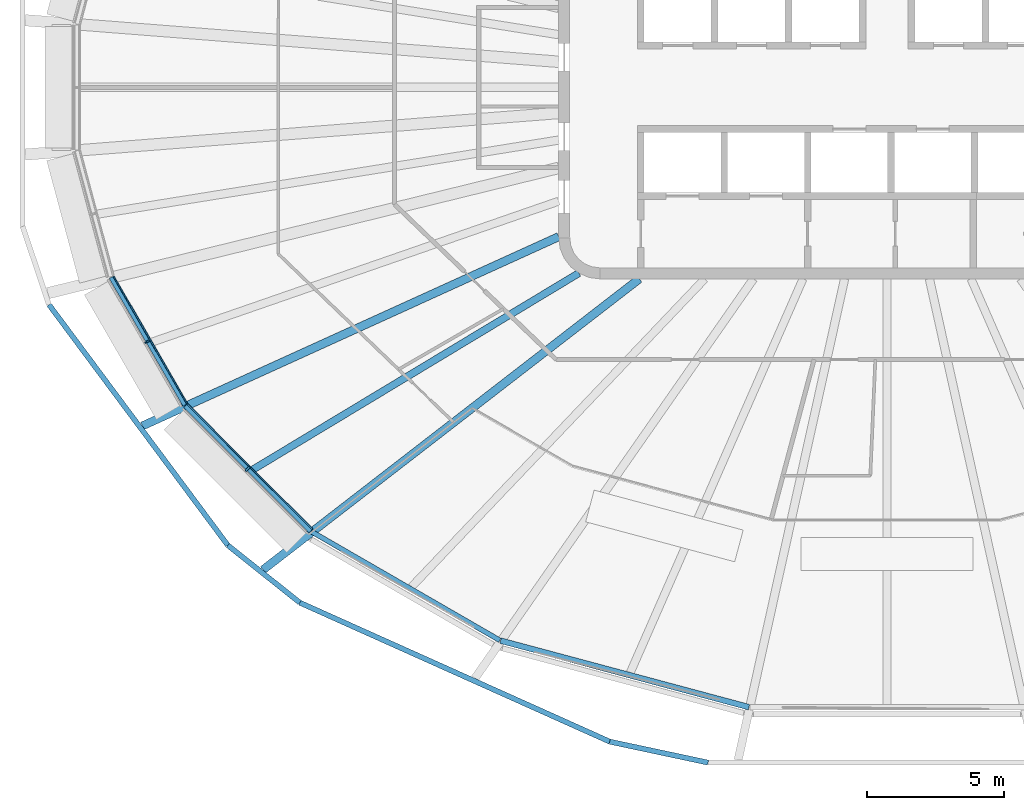
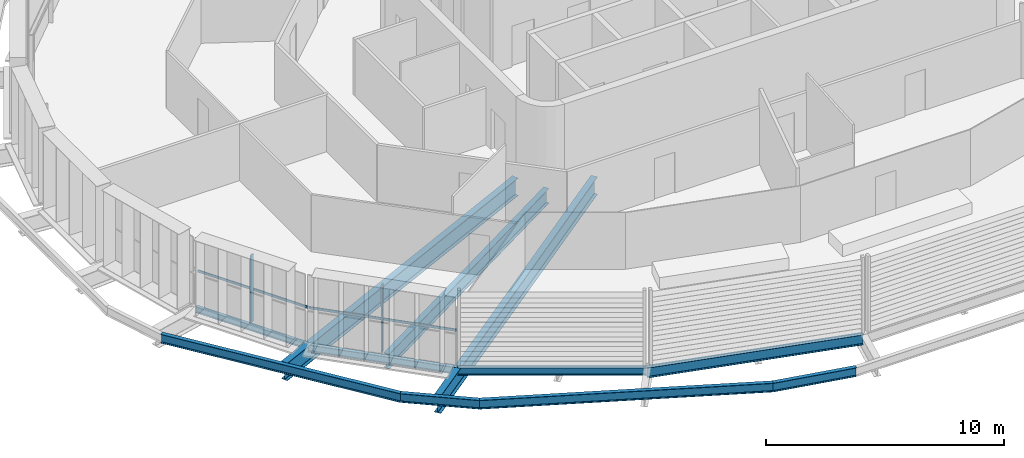
# One storey, part 1 of 20: 11 beams, 4 members, 2 elements without a shape of their own.
"""IFC4 building model written with IfcOpenShell, lengths in metres."""

import ifcopenshell
import ifcopenshell.guid

model = None  # the IFC model being written
_history = None  # IfcOwnerHistory: only IFC2X3 demands one
_inside = {}  # id of a spatial element -> (the spatial element, [elements in it])
_under = {}  # id of a project, library or spatial element -> (it, [spatial elements below it])
_declared = {}  # id of a project -> (the project, [libraries it declares])
_typed = {}  # id of a type object -> (the type object, [elements of that type])
_made_of = {}  # id of a material, layer set ... -> (it, [elements and type objects made of it])


def new_model(schema):
    """Start an empty IFC model of exactly this schema.

    Asked for "IFC4X3", IfcOpenShell would pick the latest addendum, in which some entities
    have other attributes; the version numbers below select the first issue.
    IFC2X3 requires an IfcOwnerHistory on every rooted entity: one is made here for all.
    """
    global model, _history
    if schema == "IFC4X3":
        model = ifcopenshell.file(schema_version=(4, 3, 0, 0))
    else:
        model = ifcopenshell.file(schema=schema)
    _inside.clear()
    _under.clear()
    _declared.clear()
    _typed.clear()
    _made_of.clear()
    _history = None
    if model.schema == "IFC2X3":
        org = make("IfcOrganization", Name="unknown")
        user = make(
            "IfcPersonAndOrganization",
            ThePerson=make("IfcPerson", FamilyName="unknown"),
            TheOrganization=org,
        )
        app = make(
            "IfcApplication",
            ApplicationDeveloper=org,
            Version="unknown",
            ApplicationFullName="unknown",
            ApplicationIdentifier="unknown",
        )
        _history = make(
            "IfcOwnerHistory",
            OwningUser=user,
            OwningApplication=app,
            ChangeAction="ADDED",
            CreationDate=0,
        )
    return model


def make(cls, **values):
    """One entity of the class cls with the attributes given. An attribute that is None is left unset."""
    return model.create_entity(
        cls, **{name: value for name, value in values.items() if value is not None}
    )


def rooted(cls, **values):
    """An entity with a GlobalId (a new one), such as an element, a storey or a relation."""
    return make(cls, GlobalId=ifcopenshell.guid.new(), OwnerHistory=_history, **values)


def si_unit(unit_type, name, prefix=None):
    """IfcSIUnit, for example si_unit("LENGTHUNIT", "METRE", prefix="MILLI")."""
    return make("IfcSIUnit", UnitType=unit_type, Prefix=prefix, Name=name)


def assignment(units):
    """IfcUnitAssignment: the units of a project."""
    return None if units is None else make("IfcUnitAssignment", Units=units)


def point(xyz):
    """IfcCartesianPoint."""
    return None if xyz is None else make("IfcCartesianPoint", Coordinates=xyz)


def direction(xyz):
    """IfcDirection."""
    return None if xyz is None else make("IfcDirection", DirectionRatios=xyz)


def frame(location, z_axis=None, x_axis=None):
    """IfcAxis2Placement3D, a coordinate frame: its origin and axes. An axis left out is left unset."""
    return make(
        "IfcAxis2Placement3D",
        Location=point(location),
        Axis=direction(z_axis),
        RefDirection=direction(x_axis),
    )


def frame_2d(location, x_axis=None):
    """IfcAxis2Placement2D, a coordinate frame in the plane: its origin and x axis."""
    return make(
        "IfcAxis2Placement2D", Location=point(location), RefDirection=direction(x_axis)
    )


def origin():
    """The frame at (0, 0, 0) with its axes left unset."""
    return frame((0.0, 0.0, 0.0))


def origin_2d():
    """The frame at (0, 0) in the plane with its x axis left unset."""
    return frame_2d((0.0, 0.0))


def place(relative_to, where):
    """IfcLocalPlacement: puts the frame where relative to a parent placement (None: the world)."""
    return make(
        "IfcLocalPlacement", PlacementRelTo=relative_to, RelativePlacement=where
    )


def context(
    kind, dimensions, precision=None, world=None, true_north=None, identifier=None
):
    """IfcGeometricRepresentationContext, for example the 3D "Model" context."""
    return make(
        "IfcGeometricRepresentationContext",
        ContextIdentifier=identifier,
        ContextType=kind,
        CoordinateSpaceDimension=dimensions,
        Precision=precision,
        WorldCoordinateSystem=world,
        TrueNorth=true_north,
    )


def subcontext(parent, identifier, kind, view, scale=None):
    """IfcGeometricRepresentationSubContext, for example "Body" below "Model"."""
    return make(
        "IfcGeometricRepresentationSubContext",
        ContextIdentifier=identifier,
        ContextType=kind,
        ParentContext=parent,
        TargetScale=scale,
        TargetView=view,
    )


def project(units=None, contexts=None):
    """IfcProject with its units and contexts."""
    return rooted(
        "IfcProject",
        Name="project",
        RepresentationContexts=contexts,
        UnitsInContext=assignment(units),
    )


def spatial(cls, under=None, at=None, **own):
    """A site, building, storey or space (cls), placed at a placement, below another one or the project."""
    s = rooted(cls, ObjectPlacement=at, **own)
    if under is not None:
        _under.setdefault(under.id(), (under, []))[1].append(s)
    return s


def profile(cls, at=None, kind="AREA", **sizes):
    """A parametric profile (cls). Its sizes go by their IFC names, for example OverallWidth=200.0."""
    return make(cls, ProfileType=kind, Position=at, **sizes)


def rectangle(**sizes):
    """IfcRectangleProfileDef."""
    return profile("IfcRectangleProfileDef", **sizes)


def i_section(**sizes):
    """IfcIShapeProfileDef."""
    return profile("IfcIShapeProfileDef", **sizes)


def extrude(swept, where, along, depth):
    """IfcExtrudedAreaSolid: the profile swept, set in the frame where, extruded along a direction by depth."""
    return make(
        "IfcExtrudedAreaSolid",
        SweptArea=swept,
        Position=where,
        ExtrudedDirection=direction(along),
        Depth=depth,
    )


def shape(context_of_items, identifier, shape_type, items):
    """IfcShapeRepresentation: the items that make up one representation, for example the "Body"."""
    return make(
        "IfcShapeRepresentation",
        ContextOfItems=context_of_items,
        RepresentationIdentifier=identifier,
        RepresentationType=shape_type,
        Items=items,
    )


def material(Name=None, Category=None):
    """IfcMaterial."""
    return make("IfcMaterial", Name=Name, Category=Category)


def layer(
    of_material, thickness, ventilated=None, Name=None, Category=None, Priority=None
):
    """IfcMaterialLayer: one layer of a wall or slab, of a material (None: an air gap)."""
    return make(
        "IfcMaterialLayer",
        Material=of_material,
        LayerThickness=thickness,
        IsVentilated=ventilated,
        Name=Name,
        Category=Category,
        Priority=Priority,
    )


def layer_set(layers, Name=None):
    """IfcMaterialLayerSet."""
    return make("IfcMaterialLayerSet", MaterialLayers=layers, LayerSetName=Name)


def material_profile(
    of_material, cross_section, Name=None, Category=None, Priority=None
):
    """IfcMaterialProfile: a cross section and its material."""
    return make(
        "IfcMaterialProfile",
        Name=Name,
        Material=of_material,
        Profile=cross_section,
        Priority=Priority,
        Category=Category,
    )


def profile_set(profiles, Name=None, composite=None):
    """IfcMaterialProfileSet."""
    return make(
        "IfcMaterialProfileSet",
        Name=Name,
        MaterialProfiles=profiles,
        CompositeProfile=composite,
    )


def made_of(thing, what):
    """Note that an element or type object is made of a material, layer set ...; save() writes the relation."""
    if what is not None:
        _made_of.setdefault(what.id(), (what, []))[1].append(thing)
    return thing


def type_object(cls, material=None, **own):
    """A type object (cls), such as IfcWallType, which elements share."""
    return made_of(rooted(cls, **own), material)


def element(
    cls,
    number,
    at=None,
    inside=None,
    cuts=None,
    type_object=None,
    material=None,
    context=None,
    identifier="Body",
    shape_type=None,
    held_by="IfcProductDefinitionShape",
    body=None,
    shapes=None,
    **own,
):
    """One element of the class cls, such as IfcWall. Its Tag is "e" and its number.

    at: its placement. inside: the storey or other place that contains it. cuts: it is an
    opening in that element (IfcRelVoidsElement). A single representation is given by context,
    identifier, shape_type and body (its items); several are given by shapes. held_by: the class
    of the entity that holds the representations. save() writes the other relations.
    """
    e = rooted(cls, Tag="e%d" % number, ObjectPlacement=at, **own)
    if body is not None:
        shapes = [shape(context, identifier, shape_type, body)]
    if shapes is not None:
        e.Representation = make(held_by, Representations=shapes)
    if inside is not None:
        _inside.setdefault(inside.id(), (inside, []))[1].append(e)
    if cuts is not None:
        rooted(
            "IfcRelVoidsElement", RelatingBuildingElement=cuts, RelatedOpeningElement=e
        )
    if type_object is not None:
        _typed.setdefault(type_object.id(), (type_object, []))[1].append(e)
    return made_of(e, material)


def aggregate(whole, parts):
    """IfcRelAggregates: a whole, such as a stair, and the parts it consists of."""
    return rooted("IfcRelAggregates", RelatingObject=whole, RelatedObjects=parts)


def save(model, path):
    """Write the relations noted so far, then the file.

    IfcRelAggregates (storeys below a building ...), IfcRelContainedInSpatialStructure (elements
    in a storey), IfcRelDefinesByType, IfcRelAssociatesMaterial and IfcRelDeclares: one each for
    every whole, place, type object, material and project.
    """
    for whole, parts in _under.values():
        aggregate(whole, parts)
    for where, things in _inside.values():
        rooted(
            "IfcRelContainedInSpatialStructure",
            RelatedElements=things,
            RelatingStructure=where,
        )
    for kind, things in _typed.values():
        rooted("IfcRelDefinesByType", RelatedObjects=things, RelatingType=kind)
    for what, things in _made_of.values():
        rooted("IfcRelAssociatesMaterial", RelatedObjects=things, RelatingMaterial=what)
    for by, libraries in _declared.values():
        rooted("IfcRelDeclares", RelatingContext=by, RelatedDefinitions=libraries)
    model.write(path)


model = new_model("IFC4")

# Units and contexts
model_context = context("Model", 3, precision=1e-05, world=origin(), true_north=direction((0.0, 1.0)))
body_context = subcontext(model_context, "Body", "Model", "MODEL_VIEW")
ifc_project = project(units=[si_unit("LENGTHUNIT", "METRE"), si_unit("AREAUNIT", "SQUARE_METRE"), si_unit("VOLUMEUNIT", "CUBIC_METRE"), si_unit("PLANEANGLEUNIT", "RADIAN"), si_unit("MASSUNIT", "GRAM", prefix="KILO")], contexts=[model_context])

# Site, building, storey
site_placement = place(None, origin())
site = spatial("IfcSite", under=ifc_project, at=site_placement, CompositionType="ELEMENT")
building_placement = place(site_placement, origin())
building = spatial("IfcBuilding", under=site, at=building_placement, Name="Sahrelin Media Tower", CompositionType="ELEMENT")
storey_placement = place(building_placement, frame((0.0, 0.0, 271.0)))
storey = spatial("IfcBuildingStorey", under=building, at=storey_placement, Name="L59", CompositionType="ELEMENT", Elevation=271.0)

# Beams
ifc_material_1 = material(Name="Steel S355", Category="steel")
ifc_material_profile_1 = material_profile(ifc_material_1, i_section(OverallWidth=0.1650390625, OverallDepth=0.303466796875, WebThickness=0.006103515625, FlangeThickness=0.01025390625, FilletRadius=0.0087890625, at=origin_2d()), Name="UB 305x165x40")
ifc_profile_set_1 = profile_set([ifc_material_profile_1], Name="Steel S355")
beam_type_1 = type_object("IfcBeamType", Name="Edge beam EB2", PredefinedType="BEAM", material=ifc_profile_set_1)
beam_1_placement = place(storey_placement, frame((-25.6630859375, -11.614990234375, -0.3017578125), z_axis=(-0.499986373413, 0.866033270955, 0.0), x_axis=(-0.866033270955, -0.499986373413, 0.0)))
element("IfcBeam", 1, at=beam_1_placement, inside=storey, type_object=beam_type_1, Name="Edge beam L59-11", PredefinedType="BEAM", context=body_context, shape_type="SweptSolid", body=[
    extrude(i_section(OverallWidth=0.1650390625, OverallDepth=0.303466796875, WebThickness=0.006103515625, FlangeThickness=0.01025390625, FilletRadius=0.0087890625, at=origin_2d()), origin(), (0.0, 0.0, 1.0), 5.391845703125),
])
ifc_material_profile_2 = material_profile(ifc_material_1, i_section(OverallWidth=0.17138671875, OverallDepth=0.35498046875, WebThickness=0.00732421875, FlangeThickness=0.011474609375, FilletRadius=0.01025390625, at=origin_2d()), Name="UB 356x171x51")
ifc_profile_set_2 = profile_set([ifc_material_profile_2], Name="Steel S355")
beam_type_2 = type_object("IfcBeamType", Name="Edge beam EB3", PredefinedType="BEAM", material=ifc_profile_set_2)
beam_2_placement = place(storey_placement, frame((-21.064697265625, -16.218505859375, -0.37744140625), z_axis=(-0.707106781187, 0.707106781187, 0.0), x_axis=(-0.707106781187, -0.707106781187, 0.0)))
element("IfcBeam", 2, at=beam_2_placement, inside=storey, type_object=beam_type_2, Name="Edge beam L59-10", PredefinedType="BEAM", context=body_context, shape_type="SweptSolid", body=[
    extrude(i_section(OverallWidth=0.17138671875, OverallDepth=0.35498046875, WebThickness=0.00732421875, FlangeThickness=0.011474609375, FilletRadius=0.01025390625, at=origin_2d()), origin(), (0.0, 0.0, 1.0), 6.478271484375),
])
ifc_material_profile_3 = material_profile(ifc_material_1, i_section(OverallWidth=0.177978515625, OverallDepth=0.406494140625, WebThickness=0.0078125, FlangeThickness=0.0126953125, FilletRadius=0.01025390625, at=origin_2d()), Name="UB 406x178x60")
ifc_profile_set_3 = profile_set([ifc_material_profile_3], Name="Steel S355")
beam_type_3 = type_object("IfcBeamType", Name="Edge beam EB4", PredefinedType="BEAM", material=ifc_profile_set_3)
beam_3_placement = place(storey_placement, frame((-14.15234375, -20.2138671875, -0.4033203125), z_axis=(-0.866015400443, 0.500017325895, 0.0), x_axis=(-0.500017325895, -0.866015400443, 0.0)))
element("IfcBeam", 3, at=beam_3_placement, inside=storey, type_object=beam_type_3, Name="Edge beam L59-09", PredefinedType="BEAM", context=body_context, shape_type="SweptSolid", body=[
    extrude(i_section(OverallWidth=0.177978515625, OverallDepth=0.406494140625, WebThickness=0.0078125, FlangeThickness=0.0126953125, FilletRadius=0.01025390625, at=origin_2d()), origin(), (0.0, 0.0, 1.0), 7.955322265625),
])
ifc_material_profile_4 = material_profile(ifc_material_1, i_section(OverallWidth=0.208740234375, OverallDepth=0.5283203125, WebThickness=0.009521484375, FlangeThickness=0.01318359375, FilletRadius=0.0126953125, at=origin_2d()), Name="UB 533x210x82")
ifc_profile_set_4 = profile_set([ifc_material_profile_4], Name="Steel S355")
beam_type_4 = type_object("IfcBeamType", Name="Edge beam EB6", PredefinedType="BEAM", material=ifc_profile_set_4)
beam_4_placement = place(storey_placement, frame((-5.04541015625, -22.657958984375, -0.464111328125), z_axis=(-0.96592475054, 0.25882305982, 0.0), x_axis=(-0.25882305982, -0.96592475054, 0.0)))
element("IfcBeam", 4, at=beam_4_placement, inside=storey, type_object=beam_type_4, Name="Edge beam L59-08", PredefinedType="BEAM", context=body_context, shape_type="SweptSolid", body=[
    extrude(i_section(OverallWidth=0.208740234375, OverallDepth=0.5283203125, WebThickness=0.009521484375, FlangeThickness=0.01318359375, FilletRadius=0.0126953125, at=origin_2d()), origin(), (0.0, 0.0, 1.0), 9.400634765625),
])

# Curtain wall, member
ifc_material_2 = material(Name="Champagne anodised aluminium 6063-T6", Category="aluminium")
ifc_layer = layer(ifc_material_2, 0.14990234375)
ifc_layer_set = layer_set([ifc_layer], Name="Tower ribbon curtain wall")
curtain_wall_type = type_object("IfcCurtainWallType", Name="Tower ribbon curtain wall", PredefinedType="NOTDEFINED", material=ifc_layer_set)
curtain_wall_1_placement = place(storey_placement, frame((-27.140869140625, -9.355224609375, 0.0), z_axis=(0.0, 0.0, 1.0), x_axis=(1.0, 0.0, 0.0)))
curtain_wall_1 = element("IfcCurtainWall", 5, at=curtain_wall_1_placement, inside=storey, type_object=curtain_wall_type, Name="L59:CW:L59-14", PredefinedType="NOTDEFINED")
ifc_material_profile_5 = material_profile(ifc_material_2, rectangle(XDim=0.06005859375, YDim=0.199951171875, at=origin_2d()), Name="Mullion 60x200")
ifc_profile_set_5 = profile_set([ifc_material_profile_5], Name="Champagne anodised aluminium 6063-T6")
member_type_1 = type_object("IfcMemberType", Name="Mullion 60x200 CW1C", PredefinedType="MULLION", material=ifc_profile_set_5)
member_1_placement = place(storey_placement, frame((-27.037109375, -9.295166015625, 0.0), z_axis=(0.0, 0.0, 1.0), x_axis=(0.499989419466, -0.866031512372, 0.0)))
member_1 = element("IfcMember", 6, at=member_1_placement, type_object=member_type_1, Name="L59:CWM:L59-14", PredefinedType="MULLION", context=body_context, shape_type="SweptSolid", body=[
    extrude(rectangle(XDim=0.06005859375, YDim=0.199951171875, at=origin_2d()), origin(), (0.0, 0.0, 1.0), 3.448486328125),
])

curtain_wall_2_placement = place(storey_placement, frame((-23.461181640625, -14.0341796875, 0.0), z_axis=(0.0, 0.0, 1.0), x_axis=(1.0, 0.0, 0.0)))
curtain_wall_2 = element("IfcCurtainWall", 7, at=curtain_wall_2_placement, inside=storey, type_object=curtain_wall_type, Name="L59:CW:L59-15", PredefinedType="NOTDEFINED")
member_2_placement = place(storey_placement, frame((-23.376220703125, -13.949462890625, 0.0), z_axis=(0.0, 0.0, 1.0), x_axis=(0.707114185953, -0.707099376343, 0.0)))
member_2 = element("IfcMember", 8, at=member_2_placement, type_object=member_type_1, Name="L59:CWM:L59-15", PredefinedType="MULLION", context=body_context, shape_type="SweptSolid", body=[
    extrude(rectangle(XDim=0.06005859375, YDim=0.199951171875, at=origin_2d()), origin(), (0.0, 0.0, 1.0), 3.448486328125),
])

# Beams
ifc_material_profile_6 = material_profile(ifc_material_1, i_section(OverallWidth=0.30322265625, OverallDepth=0.903076171875, WebThickness=0.01513671875, FlangeThickness=0.020263671875, FilletRadius=0.01904296875, at=origin_2d()), Name="UB 914x305x201")
ifc_profile_set_6 = profile_set([ifc_material_profile_6], Name="Steel S355")
beam_type_5 = type_object("IfcBeamType", Name="Radial primary beam PB11", PredefinedType="BEAM", material=ifc_profile_set_6)
beam_5_placement = place(storey_placement, frame((-12.0, -5.4560546875, -0.6015625), z_axis=(-0.910323966554, -0.413896455551, 0.0), x_axis=(0.413896455551, -0.910323966554, 0.0)))
element("IfcBeam", 9, at=beam_5_placement, inside=storey, type_object=beam_type_5, Name="Radial beam L59-15", PredefinedType="BEAM", context=body_context, shape_type="SweptSolid", body=[
    extrude(i_section(OverallWidth=0.30322265625, OverallDepth=0.903076171875, WebThickness=0.01513671875, FlangeThickness=0.020263671875, FilletRadius=0.01904296875, at=origin_2d()), origin(), (0.0, 0.0, 1.0), 16.719482421875),
])
beam_6_placement = place(storey_placement, frame((-9.05419921875, -7.0, -0.651611328125), z_axis=(-0.791130322108, -0.611647621954, 0.0), x_axis=(0.611647621954, -0.791130322108, 0.0)))
element("IfcBeam", 10, at=beam_6_placement, inside=storey, type_object=beam_type_5, Name="Radial beam L59-16", PredefinedType="BEAM", context=body_context, shape_type="SweptSolid", body=[
    extrude(i_section(OverallWidth=0.30322265625, OverallDepth=0.903076171875, WebThickness=0.01513671875, FlangeThickness=0.020263671875, FilletRadius=0.01904296875, at=origin_2d()), origin(), (0.0, 0.0, 1.0), 17.3935546875),
])
ifc_material_profile_7 = material_profile(ifc_material_1, i_section(OverallWidth=0.26513671875, OverallDepth=0.75390625, WebThickness=0.0126953125, FlangeThickness=0.017578125, FilletRadius=0.0166015625, at=origin_2d()), Name="UB 762x267x147")
ifc_profile_set_7 = profile_set([ifc_material_profile_7], Name="Steel S355")
beam_type_6 = type_object("IfcBeamType", Name="Radial secondary beam SB9", PredefinedType="BEAM", material=ifc_profile_set_7)
beam_7_placement = place(storey_placement, frame((-11.26318359375, -6.788818359375, -0.527099609375), z_axis=(-0.856452909248, -0.516225158473, 0.0), x_axis=(0.516225158473, -0.856452909248, 0.0)))
element("IfcBeam", 11, at=beam_7_placement, inside=storey, type_object=beam_type_6, Name="Secondary beam L59-15", PredefinedType="BEAM", context=body_context, shape_type="SweptSolid", body=[
    extrude(i_section(OverallWidth=0.26513671875, OverallDepth=0.75390625, WebThickness=0.0126953125, FlangeThickness=0.017578125, FilletRadius=0.0166015625, at=origin_2d()), origin(), (0.0, 0.0, 1.0), 13.921875),
])
ifc_material_profile_8 = material_profile(ifc_material_1, i_section(OverallWidth=0.1904296875, OverallDepth=0.45703125, WebThickness=0.009033203125, FlangeThickness=0.014404296875, FilletRadius=0.01025390625, at=origin_2d()), Name="UB 457x191x74")
ifc_profile_set_8 = profile_set([ifc_material_profile_8], Name="Steel S355")
beam_type_7 = type_object("IfcBeamType", Name="Tie chord TC5", PredefinedType="BEAM", material=ifc_profile_set_8)
beam_8_placement = place(storey_placement, frame((-30.634765625, -7.942138671875, -0.37841796875), z_axis=(0.596549063613, -0.802576609865, 0.0), x_axis=(0.802576609865, 0.596549063613, 0.0)))
element("IfcBeam", 12, at=beam_8_placement, inside=storey, type_object=beam_type_7, Name="Tie chord L59-14", PredefinedType="BEAM", context=body_context, shape_type="SweptSolid", body=[
    extrude(i_section(OverallWidth=0.1904296875, OverallDepth=0.45703125, WebThickness=0.009033203125, FlangeThickness=0.014404296875, FilletRadius=0.01025390625, at=origin_2d()), origin(), (0.0, 0.0, 1.0), 10.963623046875),
])
beam_9_placement = place(storey_placement, frame((-24.094482421875, -16.7412109375, -0.37841796875), z_axis=(0.782297174171, -0.622905395132, 0.0), x_axis=(0.622905395132, 0.782297174171, 0.0)))
element("IfcBeam", 13, at=beam_9_placement, inside=storey, type_object=beam_type_7, Name="Tie chord L59-15", PredefinedType="BEAM", context=body_context, shape_type="SweptSolid", body=[
    extrude(i_section(OverallWidth=0.1904296875, OverallDepth=0.45703125, WebThickness=0.009033203125, FlangeThickness=0.014404296875, FilletRadius=0.01025390625, at=origin_2d()), origin(), (0.0, 0.0, 1.0), 3.363525390625),
])
beam_10_placement = place(storey_placement, frame((-21.463134765625, -18.83642578125, -0.37841796875), z_axis=(0.912453885524, -0.409179553242, 0.0), x_axis=(0.409179553242, 0.912453885524, 0.0)))
element("IfcBeam", 14, at=beam_10_placement, inside=storey, type_object=beam_type_7, Name="Tie chord L59-16", PredefinedType="BEAM", context=body_context, shape_type="SweptSolid", body=[
    extrude(i_section(OverallWidth=0.1904296875, OverallDepth=0.45703125, WebThickness=0.009033203125, FlangeThickness=0.014404296875, FilletRadius=0.01025390625, at=origin_2d()), origin(), (0.0, 0.0, 1.0), 12.415283203125),
])
beam_11_placement = place(storey_placement, frame((-10.134765625, -23.91650390625, -0.37841796875), z_axis=(0.977988679387, -0.208657956932, 0.0), x_axis=(0.208657956932, 0.977988679387, 0.0)))
element("IfcBeam", 15, at=beam_11_placement, inside=storey, type_object=beam_type_7, Name="Tie chord L59-17", PredefinedType="BEAM", context=body_context, shape_type="SweptSolid", body=[
    extrude(i_section(OverallWidth=0.1904296875, OverallDepth=0.45703125, WebThickness=0.009033203125, FlangeThickness=0.014404296875, FilletRadius=0.01025390625, at=origin_2d()), origin(), (0.0, 0.0, 1.0), 3.675048828125),
])

# Member
ifc_material_profile_9 = material_profile(ifc_material_2, rectangle(XDim=0.050048828125, YDim=0.1201171875, at=origin_2d()), Name="Transom 50x120")
ifc_profile_set_9 = profile_set([ifc_material_profile_9], Name="Champagne anodised aluminium 6063-T6")
member_type_2 = type_object("IfcMemberType", Name="Transom 50x120 CW1C", PredefinedType="USERDEFINED", material=ifc_profile_set_9)
member_3_placement = place(storey_placement, frame((-28.268798828125, -6.91162109375, 1.60009765625), z_axis=(0.500008949224, -0.866020236886, 0.0), x_axis=(0.866020236886, 0.500008949224, 0.0)))
member_3 = element("IfcMember", 16, at=member_3_placement, type_object=member_type_2, Name="L59:CWT:L59-14", ObjectType="TRANSOM", PredefinedType="USERDEFINED", context=body_context, shape_type="SweptSolid", body=[
    extrude(rectangle(XDim=0.050048828125, YDim=0.1201171875, at=origin_2d()), origin(), (0.0, 0.0, 1.0), 5.3603515625),
])

aggregate(curtain_wall_1, [member_1, member_3])

member_4_placement = place(storey_placement, frame((-25.5673828125, -11.581787109375, 1.60009765625), z_axis=(0.707125715376, -0.70708784649, 0.0), x_axis=(0.70708784649, 0.707125715376, 0.0)))
member_4 = element("IfcMember", 17, at=member_4_placement, type_object=member_type_2, Name="L59:CWT:L59-15", ObjectType="TRANSOM", PredefinedType="USERDEFINED", context=body_context, shape_type="SweptSolid", body=[
    extrude(rectangle(XDim=0.050048828125, YDim=0.1201171875, at=origin_2d()), origin(), (0.0, 0.0, 1.0), 6.447021484375),
])

aggregate(curtain_wall_2, [member_2, member_4])

save(model, "model.ifc")
